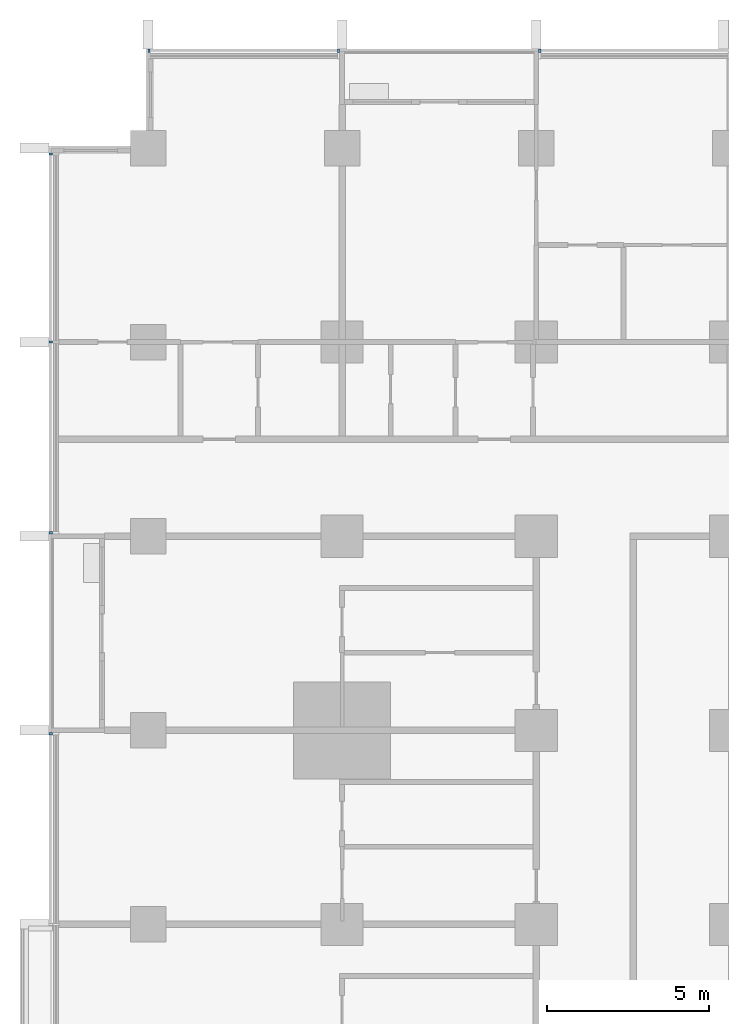
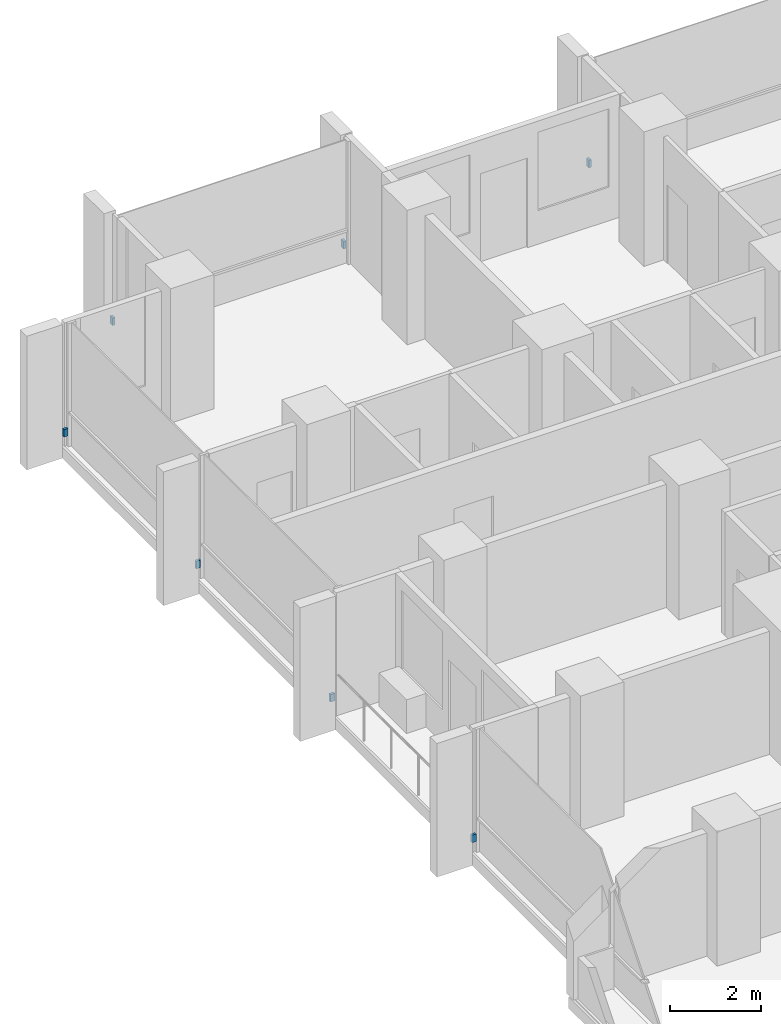
# One storey, part 15 of 17: 7 discrete accessories.
"""IFC4 building model written with IfcOpenShell, lengths in metres."""

from ifc_helpers import new_model, si_unit, direction, frame, origin, origin_2d, place, context, subcontext, project, spatial, rectangle, extrude, material, type_object, element, save


model = new_model("IFC4")

# Units and contexts
model_context = context("Model", 3, precision=1e-05, world=origin(), true_north=direction((0.0, 1.0)))
body_context = subcontext(model_context, "Body", "Model", "MODEL_VIEW")
ifc_project = project(units=[si_unit("LENGTHUNIT", "METRE"), si_unit("AREAUNIT", "SQUARE_METRE"), si_unit("VOLUMEUNIT", "CUBIC_METRE"), si_unit("PLANEANGLEUNIT", "RADIAN"), si_unit("MASSUNIT", "GRAM", prefix="KILO")], contexts=[model_context])

# Site, building, storey
site_placement = place(None, origin())
site = spatial("IfcSite", under=ifc_project, at=site_placement, CompositionType="ELEMENT")
building_placement = place(site_placement, origin())
building = spatial("IfcBuilding", under=site, at=building_placement, Name="Finial Court Residences", CompositionType="ELEMENT")
storey_placement = place(building_placement, frame((0.0, 0.0, 61.300048828125)))
storey = spatial("IfcBuildingStorey", under=building, at=storey_placement, Name="L14", CompositionType="ELEMENT", Elevation=61.300048828125)

# Discrete accessories
ifc_material = material(Name="Stainless steel 316", Category="steel")
discrete_accessory_type = type_object("IfcDiscreteAccessoryType", Name="Fin bracket, stainless steel 65 x 110 x 200", PredefinedType="BRACKET", material=ifc_material)
for number, where, z_axis, x_axis, name in (
    (1, (-22.467529296875, 28.5048828125, 0.2998046875), (0.0, 0.0, 1.0), (1.0, 0.0, 0.0), "E-L14-FIN-N1-BRK"),
    (2, (-16.607421875, 28.5048828125, 0.2998046875), (0.0, 0.0, 1.0), (1.0, 0.0, 0.0), "E-L14-FIN-N2-BRK"),
    (3, (-10.392578125, 28.5048828125, 0.2998046875), (0.0, 0.0, 1.0), (1.0, 0.0, 0.0), "E-L14-FIN-N3-BRK"),
):
    element("IfcDiscreteAccessory", number, at=place(storey_placement, frame(where, z_axis=z_axis, x_axis=x_axis)), inside=storey, type_object=discrete_accessory_type, Name=name, PredefinedType="BRACKET", context=body_context, shape_type="SweptSolid", body=[
        extrude(rectangle(XDim=0.06494140625, YDim=0.110107421875, at=origin_2d()), origin(), (0.0, 0.0, 1.0), 0.199951171875),
    ])
for number, where, z_axis, x_axis, name in (
    (4, (-25.5048828125, 7.392578125, 0.2998046875), (0.0, 0.0, 1.0), (1.0, 0.0, 0.0), "E-L14-FIN-W31-BRK"),
    (5, (-25.5048828125, 13.607421875, 0.2998046875), (0.0, 0.0, 1.0), (1.0, 0.0, 0.0), "E-L14-FIN-W32-BRK"),
    (6, (-25.5048828125, 19.5, 0.2998046875), (0.0, 0.0, 1.0), (1.0, 0.0, 0.0), "E-L14-FIN-W33-BRK"),
    (7, (-25.5048828125, 25.3173828125, 0.2998046875), (0.0, 0.0, 1.0), (1.0, 0.0, 0.0), "E-L14-FIN-W34-BRK"),
):
    element("IfcDiscreteAccessory", number, at=place(storey_placement, frame(where, z_axis=z_axis, x_axis=x_axis)), inside=storey, type_object=discrete_accessory_type, Name=name, PredefinedType="BRACKET", context=body_context, shape_type="SweptSolid", body=[
        extrude(rectangle(XDim=0.110107421875, YDim=0.06494140625, at=origin_2d()), origin(), (0.0, 0.0, 1.0), 0.199951171875),
    ])

save(model, "model.ifc")
